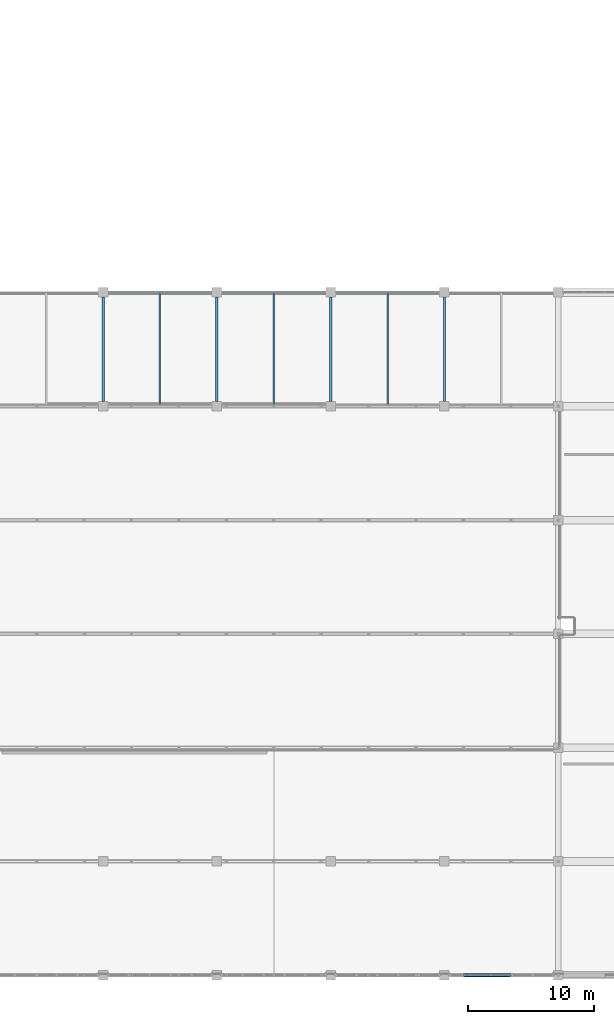
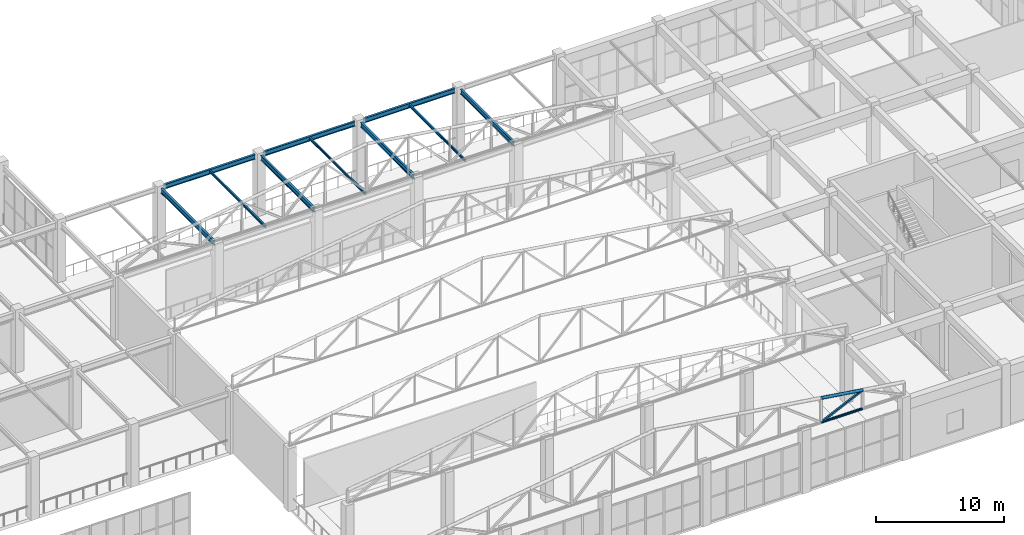
# One storey, part 62 of 223: 10 beams, 3 members.
"""IFC4 building model written with IfcOpenShell, lengths in metres."""

from ifc_helpers import new_model, si_unit, direction, frame, origin, origin_2d, place, context, subcontext, project, spatial, hollow_rectangle, hollow_circle, i_section, extrude, material, material_profile, profile_set, type_object, element, save


model = new_model("IFC4")

# Units and contexts
model_context = context("Model", 3, precision=1e-05, world=origin(), true_north=direction((0.0, 1.0)))
body_context = subcontext(model_context, "Body", "Model", "MODEL_VIEW")
ifc_project = project(units=[si_unit("LENGTHUNIT", "METRE"), si_unit("AREAUNIT", "SQUARE_METRE"), si_unit("VOLUMEUNIT", "CUBIC_METRE"), si_unit("PLANEANGLEUNIT", "RADIAN"), si_unit("MASSUNIT", "GRAM", prefix="KILO")], contexts=[model_context])

# Site, building, storey
site_placement = place(None, origin())
site = spatial("IfcSite", under=ifc_project, at=site_placement, CompositionType="ELEMENT")
building_placement = place(site_placement, origin())
building = spatial("IfcBuilding", under=site, at=building_placement, Name="Dornveld Trade and Exhibition Forum", CompositionType="ELEMENT")
storey_placement = place(building_placement, frame((0.0, 0.0, 6.0)))
storey = spatial("IfcBuildingStorey", under=building, at=storey_placement, Name="L01", CompositionType="ELEMENT", Elevation=6.0)

# Beams
ifc_material_1 = material(Name="Steel S355J2", Category="steel")
ifc_material_profile_1 = material_profile(ifc_material_1, i_section(OverallWidth=0.1201171875, OverallDepth=0.239990234375, WebThickness=0.006103515625, FlangeThickness=0.009765625, FilletRadius=0.014892578125, at=origin_2d()), Name="IPE 240")
ifc_profile_set_1 = profile_set([ifc_material_profile_1], Name="Steel S355J2")
beam_type_1 = type_object("IfcBeamType", Name="BM-JOIST-240", PredefinedType="JOIST", material=ifc_profile_set_1)
for number, where, z_axis, x_axis, name in (
    (1, (166.5, 45.092041015625, 5.659912109375), (0.0, 1.0, 0.0), (-1.0, 0.0, 0.0), "L01 secondary joist 1753"),
    (2, (175.5, 45.092041015625, 5.659912109375), (0.0, 1.0, 0.0), (-1.0, 0.0, 0.0), "L01 secondary joist 1754"),
    (3, (184.5, 45.092041015625, 5.659912109375), (0.0, 1.0, 0.0), (-1.0, 0.0, 0.0), "L01 secondary joist 1755"),
):
    element("IfcBeam", number, at=place(storey_placement, frame(where, z_axis=z_axis, x_axis=x_axis)), inside=storey, type_object=beam_type_1, Name=name, PredefinedType="JOIST", context=body_context, shape_type="SweptSolid", body=[
        extrude(i_section(OverallWidth=0.1201171875, OverallDepth=0.239990234375, WebThickness=0.006103515625, FlangeThickness=0.009765625, FilletRadius=0.014892578125, at=origin_2d()), origin(), (0.0, 0.0, 1.0), 8.81591796875),
    ])
ifc_material_2 = material(Name="Steel S355J2", Category="steel")
ifc_material_profile_2 = material_profile(ifc_material_2, i_section(OverallWidth=0.18994140625, OverallDepth=0.449951171875, WebThickness=0.009521484375, FlangeThickness=0.0146484375, FilletRadius=0.02099609375, at=origin_2d()), Name="IPE 450")
ifc_profile_set_2 = profile_set([ifc_material_profile_2], Name="Steel S355J2")
beam_type_2 = type_object("IfcBeamType", Name="BM-SEC-450", PredefinedType="BEAM", material=ifc_profile_set_2)
for number, where, z_axis, x_axis, name in (
    (4, (162.37109375, 54.0, 5.554931640625), (1.0, 0.0, 0.0), (0.0, 1.0, 0.0), "L01 X-girder 1742"),
    (5, (171.37109375, 54.0, 5.554931640625), (1.0, 0.0, 0.0), (0.0, 1.0, 0.0), "L01 X-girder 1743"),
    (6, (180.37109375, 54.0, 5.554931640625), (1.0, 0.0, 0.0), (0.0, 1.0, 0.0), "L01 X-girder 1744"),
    (7, (162.0, 45.37109375, 5.554931640625), (0.0, 1.0, 0.0), (-1.0, 0.0, 0.0), "L01 Y-girder 1747"),
    (8, (171.0, 45.37109375, 5.554931640625), (0.0, 1.0, 0.0), (-1.0, 0.0, 0.0), "L01 Y-girder 1748"),
    (9, (180.0, 45.37109375, 5.554931640625), (0.0, 1.0, 0.0), (-1.0, 0.0, 0.0), "L01 Y-girder 1749"),
    (10, (189.0, 45.37109375, 5.554931640625), (0.0, 1.0, 0.0), (-1.0, 0.0, 0.0), "L01 Y-girder 1750"),
):
    element("IfcBeam", number, at=place(storey_placement, frame(where, z_axis=z_axis, x_axis=x_axis)), inside=storey, type_object=beam_type_2, Name=name, PredefinedType="BEAM", context=body_context, shape_type="SweptSolid", body=[
        extrude(i_section(OverallWidth=0.18994140625, OverallDepth=0.449951171875, WebThickness=0.009521484375, FlangeThickness=0.0146484375, FilletRadius=0.02099609375, at=origin_2d()), origin(), (0.0, 0.0, 1.0), 8.2578125),
    ])

# Members
ifc_material_3 = material(Name="Steel S355J2", Category="steel")
ifc_material_profile_3 = material_profile(ifc_material_3, hollow_circle(Radius=0.109619140625, WallThickness=0.010009765625, at=origin_2d()), Name="CHS 219.1x10")
ifc_profile_set_3 = profile_set([ifc_material_profile_3], Name="Steel S355J2")
member_type_1 = type_object("IfcMemberType", Name="MEM-CONG-BC", PredefinedType="CHORD", material=ifc_profile_set_3)
member_1_placement = place(storey_placement, frame((190.5, 0.0, 5.97998046875), z_axis=(1.0, 0.0, 0.0), x_axis=(0.0, 1.0, 0.0)))
element("IfcMember", 11, at=member_1_placement, inside=storey, type_object=member_type_1, Name="Congress roof truss 1 bottom chord 11", PredefinedType="CHORD", context=body_context, shape_type="SweptSolid", body=[
    extrude(hollow_circle(Radius=0.109619140625, WallThickness=0.010009765625, at=origin_2d()), origin(), (0.0, 0.0, 1.0), 3.75),
])
ifc_material_4 = material(Name="Steel S355J2", Category="steel")
ifc_material_profile_4 = material_profile(ifc_material_4, hollow_circle(Radius=0.136474609375, WallThickness=0.012451171875, at=origin_2d()), Name="CHS 273x12.5")
ifc_profile_set_4 = profile_set([ifc_material_profile_4], Name="Steel S355J2")
member_type_2 = type_object("IfcMemberType", Name="MEM-CONG-TC", PredefinedType="CHORD", material=ifc_profile_set_4)
member_2_placement = place(storey_placement, frame((190.5, 0.0, 8.300048828125), z_axis=(0.989413064489, 0.0, -0.145126799108), x_axis=(0.0, 1.0, 0.0)))
element("IfcMember", 12, at=member_2_placement, inside=storey, type_object=member_type_2, Name="Congress roof truss 1 top chord 11", PredefinedType="CHORD", context=body_context, shape_type="SweptSolid", body=[
    extrude(hollow_circle(Radius=0.136474609375, WallThickness=0.012451171875, at=origin_2d()), origin(), (0.0, 0.0, 1.0), 3.7900390625),
])
ifc_material_5 = material(Name="Steel S355J2", Category="steel")
ifc_material_profile_5 = material_profile(ifc_material_5, hollow_rectangle(XDim=0.14990234375, YDim=0.14990234375, WallThickness=0.008056640625, at=origin_2d()), Name="SHS 150x150x8")
ifc_profile_set_5 = profile_set([ifc_material_profile_5], Name="Steel S355J2")
member_type_3 = type_object("IfcMemberType", Name="MEM-CONG-WEB", PredefinedType="BRACE", material=ifc_profile_set_5)
member_3_placement = place(storey_placement, frame((190.5, 0.0, 5.97998046875), z_axis=(0.904324408902, 0.0, 0.426845831025), x_axis=(0.0, 1.0, 0.0)))
element("IfcMember", 13, at=member_3_placement, inside=storey, type_object=member_type_3, Name="Congress roof truss 1 web 11", PredefinedType="BRACE", context=body_context, shape_type="SweptSolid", body=[
    extrude(hollow_rectangle(XDim=0.14990234375, YDim=0.14990234375, WallThickness=0.008056640625, at=origin_2d()), origin(), (0.0, 0.0, 1.0), 4.146728515625),
])

save(model, "model.ifc")
